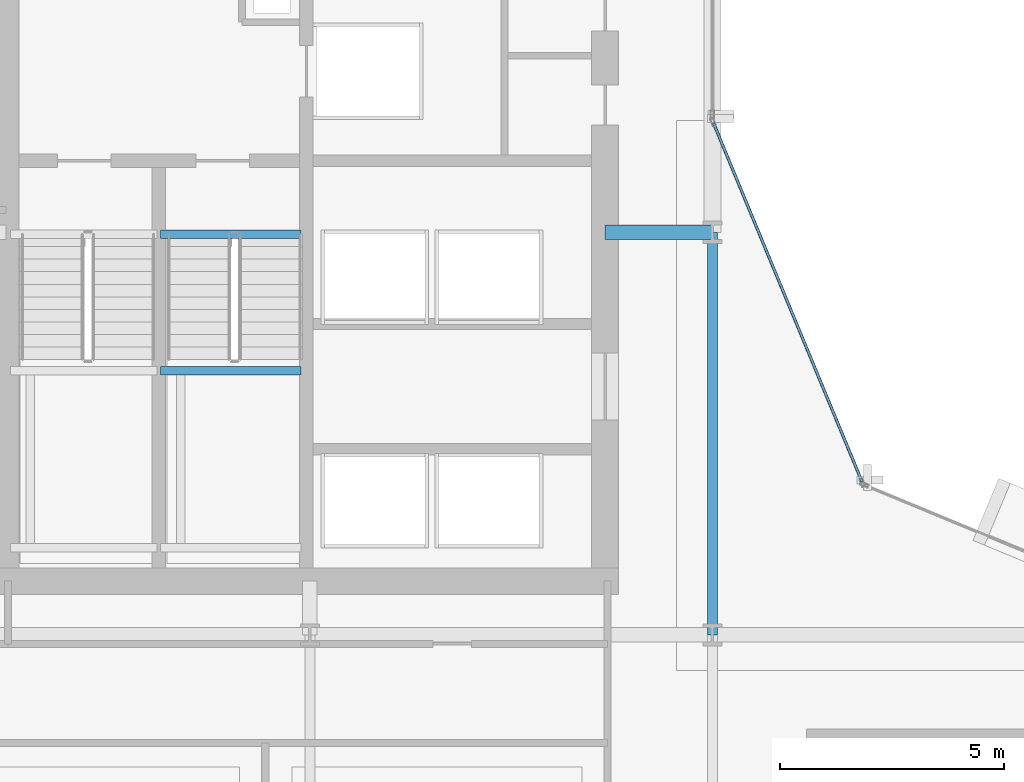
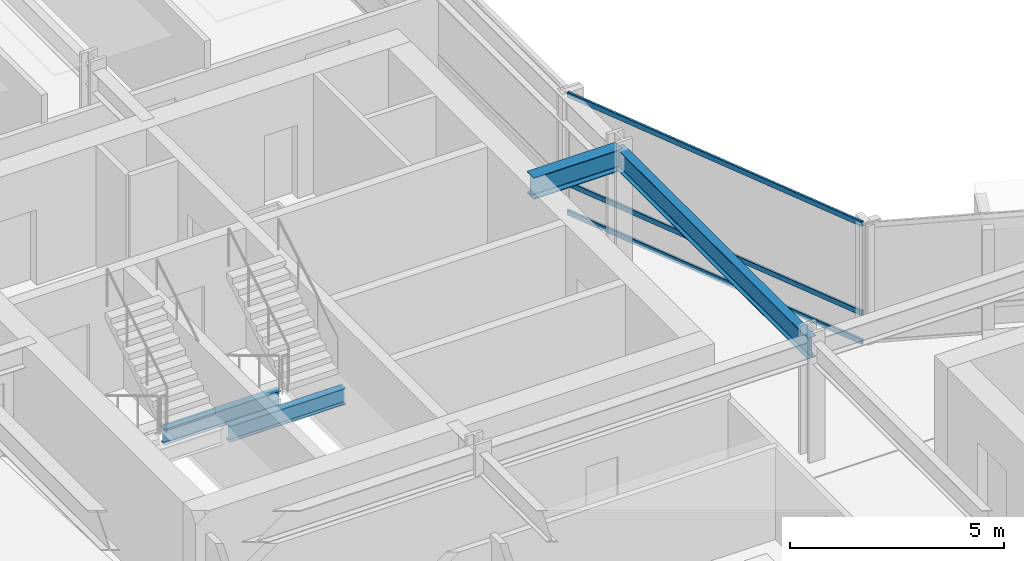
# One storey, part 20 of 34: 4 beams, 3 members, 1 element without a shape of its own.
"""IFC4 building model written with IfcOpenShell, lengths in metres."""

from ifc_helpers import new_model, si_unit, direction, frame, origin, origin_2d, place, context, subcontext, project, spatial, hollow_rectangle, i_section, extrude, material, layer, layer_set, material_profile, profile_set, type_object, element, aggregate, save


model = new_model("IFC4")

# Units and contexts
model_context = context("Model", 3, precision=1e-05, world=origin(), true_north=direction((0.0, 1.0)))
body_context = subcontext(model_context, "Body", "Model", "MODEL_VIEW")
ifc_project = project(units=[si_unit("LENGTHUNIT", "METRE"), si_unit("AREAUNIT", "SQUARE_METRE"), si_unit("VOLUMEUNIT", "CUBIC_METRE"), si_unit("PLANEANGLEUNIT", "RADIAN"), si_unit("MASSUNIT", "GRAM", prefix="KILO")], contexts=[model_context])

# Site, building, storey
site_placement = place(None, origin())
site = spatial("IfcSite", under=ifc_project, at=site_placement, CompositionType="ELEMENT")
building_placement = place(site_placement, origin())
building = spatial("IfcBuilding", under=site, at=building_placement, Name="Solvaryn Broadcast Tower", CompositionType="ELEMENT")
storey_placement = place(building_placement, frame((0.0, 0.0, 47.10009765625)))
storey = spatial("IfcBuildingStorey", under=building, at=storey_placement, Name="L10", CompositionType="ELEMENT", Elevation=47.10009765625)

# Beams
ifc_material_1 = material(Name="Steel ASTM A992 Grade 50", Category="steel")
ifc_material_profile_1 = material_profile(ifc_material_1, i_section(OverallWidth=0.323974609375, OverallDepth=0.611083984375, WebThickness=0.0126953125, FlangeThickness=0.01904296875, FilletRadius=0.014892578125, at=origin_2d()))
ifc_profile_set_1 = profile_set([ifc_material_profile_1], Name="Steel ASTM A992 Grade 50")
beam_type_1 = type_object("IfcBeamType", Name="BM-B1-W24X104", PredefinedType="BEAM", material=ifc_profile_set_1)
beam_1_placement = place(storey_placement, frame((24.60009765625, 36.0, 3.114501953125), z_axis=(1.0, 0.0, 0.0), x_axis=(0.0, 1.0, 0.0)))
element("IfcBeam", 1, at=beam_1_placement, inside=storey, type_object=beam_type_1, Name="L10 Core Tie Beam CTW2", PredefinedType="BEAM", context=body_context, shape_type="SweptSolid", body=[
    extrude(i_section(OverallWidth=0.323974609375, OverallDepth=0.611083984375, WebThickness=0.0126953125, FlangeThickness=0.01904296875, FilletRadius=0.014892578125, at=origin_2d()), origin(), (0.0, 0.0, 1.0), 2.39990234375),
])
ifc_material_2 = material(Name="Steel ASTM A992 Grade 50", Category="steel")
ifc_material_profile_2 = material_profile(ifc_material_2, i_section(OverallWidth=0.22802734375, OverallDepth=0.60791015625, WebThickness=0.01123046875, FlangeThickness=0.017333984375, FilletRadius=0.014892578125, at=origin_2d()))
ifc_profile_set_2 = profile_set([ifc_material_profile_2], Name="Steel ASTM A992 Grade 50")
beam_type_2 = type_object("IfcBeamType", Name="BM-B2-W24X76", PredefinedType="BEAM", material=ifc_profile_set_2)
beam_2_placement = place(storey_placement, frame((27.0, 27.0, 3.115966796875), z_axis=(0.0, 1.0, 0.0), x_axis=(-1.0, 0.0, 0.0)))
element("IfcBeam", 2, at=beam_2_placement, inside=storey, type_object=beam_type_2, Name="L10 Primary Beam Y (27-36 @ X=27)", PredefinedType="BEAM", context=body_context, shape_type="SweptSolid", body=[
    extrude(i_section(OverallWidth=0.22802734375, OverallDepth=0.60791015625, WebThickness=0.01123046875, FlangeThickness=0.017333984375, FilletRadius=0.014892578125, at=origin_2d()), origin(), (0.0, 0.0, 1.0), 9.0),
])
ifc_material_3 = material(Name="Steel ASTM A992 Grade 50", Category="steel")
ifc_material_profile_3 = material_profile(ifc_material_3, i_section(OverallWidth=0.18994140625, OverallDepth=0.45703125, WebThickness=0.009033203125, FlangeThickness=0.014404296875, FilletRadius=0.011962890625, at=origin_2d()))
ifc_profile_set_3 = profile_set([ifc_material_profile_3], Name="Steel ASTM A992 Grade 50")
beam_type_3 = type_object("IfcBeamType", Name="BM-B4-W18X50", PredefinedType="BEAM", material=ifc_profile_set_3)
for number, where, z_axis, x_axis, name in (
    (3, (14.659912109375, 35.9599609375, -0.508544921875), (1.0, 0.0, 0.0), (0.0, 1.0, 0.0), "L10 ST2 Stair Well Trimmer Beam"),
    (4, (14.659912109375, 32.909912109375, 1.42138671875), (1.0, 0.0, 0.0), (0.0, 1.0, 0.0), "L10 ST2 Landing Support Beam 1B"),
):
    element("IfcBeam", number, at=place(storey_placement, frame(where, z_axis=z_axis, x_axis=x_axis)), inside=storey, type_object=beam_type_3, Name=name, PredefinedType="BEAM", context=body_context, shape_type="SweptSolid", body=[
        extrude(i_section(OverallWidth=0.18994140625, OverallDepth=0.45703125, WebThickness=0.009033203125, FlangeThickness=0.014404296875, FilletRadius=0.011962890625, at=origin_2d()), origin(), (0.0, 0.0, 1.0), 3.14013671875),
    ])

# Curtain wall, members
ifc_material_4 = material(Name="Aluminium and Terracotta Unitised Curtain Wall", Category="masonry")
ifc_layer = layer(ifc_material_4, 0.199951171875)
ifc_layer_set = layer_set([ifc_layer], Name="CW-SYS2-LOWMID")
curtain_wall_type = type_object("IfcCurtainWallType", Name="CW-SYS2-LOWMID", PredefinedType="NOTDEFINED", material=ifc_layer_set)
curtain_wall_placement = place(storey_placement, origin())
curtain_wall = element("IfcCurtainWall", 5, at=curtain_wall_placement, inside=storey, type_object=curtain_wall_type, Name="L10 Curtain Wall CN2", PredefinedType="NOTDEFINED")
ifc_material_5 = material(Name="Anodised Aluminium 6063-T6", Category="aluminium")
ifc_material_profile_4 = material_profile(ifc_material_5, hollow_rectangle(XDim=0.06494140625, YDim=0.14990234375, WallThickness=0.00390625, InnerFilletRadius=0.00390625, OuterFilletRadius=0.008056640625, at=origin_2d()))
ifc_profile_set_4 = profile_set([ifc_material_profile_4], Name="Anodised Aluminium 6063-T6")
member_type = type_object("IfcMemberType", Name="CW-TRN-150", PredefinedType="USERDEFINED", material=ifc_profile_set_4)
member_1_placement = place(storey_placement, frame((30.344970703125, 30.42333984375, 0.02978515625), z_axis=(-0.382635748975, 0.923899282177, 0.0), x_axis=(-0.923899282177, -0.382635748975, 0.0)))
member_1 = element("IfcMember", 6, at=member_1_placement, type_object=member_type, Name="CWS2 transom 1.1", ObjectType="TRANSOM", PredefinedType="USERDEFINED", context=body_context, shape_type="SweptSolid", body=[
    extrude(hollow_rectangle(XDim=0.06494140625, YDim=0.14990234375, WallThickness=0.00390625, InnerFilletRadius=0.00390625, OuterFilletRadius=0.008056640625, at=origin_2d()), origin(), (0.0, 0.0, 1.0), 8.681884765625),
])
member_2_placement = place(storey_placement, frame((30.344970703125, 30.42333984375, 0.849853515625), z_axis=(-0.382635748975, 0.923899282177, 0.0), x_axis=(-0.923899282177, -0.382635748975, 0.0)))
member_2 = element("IfcMember", 7, at=member_2_placement, type_object=member_type, Name="CWS2 transom 1.2", ObjectType="TRANSOM", PredefinedType="USERDEFINED", context=body_context, shape_type="SweptSolid", body=[
    extrude(hollow_rectangle(XDim=0.06494140625, YDim=0.14990234375, WallThickness=0.00390625, InnerFilletRadius=0.00390625, OuterFilletRadius=0.008056640625, at=origin_2d()), origin(), (0.0, 0.0, 1.0), 8.681884765625),
])
member_3_placement = place(storey_placement, frame((30.344970703125, 30.42333984375, 3.389892578125), z_axis=(-0.382635748975, 0.923899282177, 0.0), x_axis=(-0.923899282177, -0.382635748975, 0.0)))
member_3 = element("IfcMember", 8, at=member_3_placement, type_object=member_type, Name="CWS2 transom 1.3", ObjectType="TRANSOM", PredefinedType="USERDEFINED", context=body_context, shape_type="SweptSolid", body=[
    extrude(hollow_rectangle(XDim=0.06494140625, YDim=0.14990234375, WallThickness=0.00390625, InnerFilletRadius=0.00390625, OuterFilletRadius=0.008056640625, at=origin_2d()), origin(), (0.0, 0.0, 1.0), 8.681884765625),
])
aggregate(curtain_wall, [member_1, member_2, member_3])

save(model, "model.ifc")
